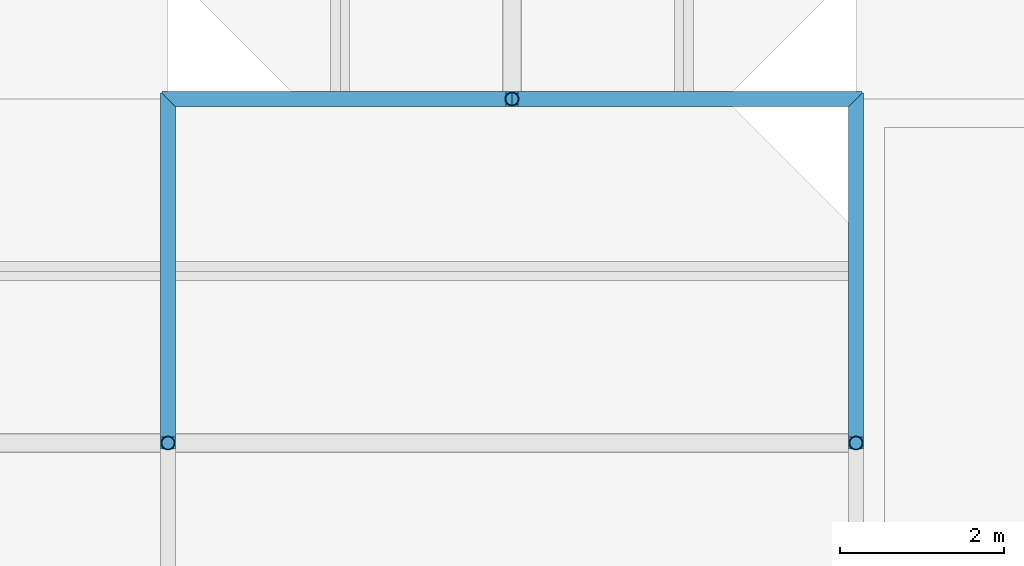
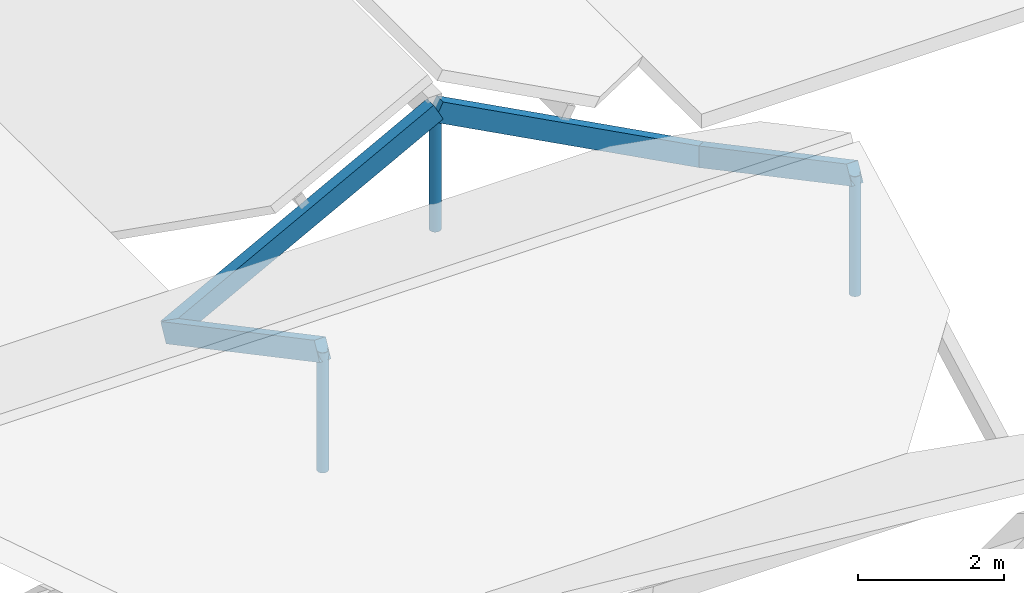
# One storey, part 59 of 82: 7 members.
"""IFC4 building model written with IfcOpenShell, lengths in metres."""

from ifc_helpers import new_model, si_unit, direction, frame, origin, origin_2d, place, context, subcontext, project, spatial, rectangle, hollow_circle, extrude, material, material_profile, profile_set, type_object, element, save


model = new_model("IFC4")

# Units and contexts
model_context = context("Model", 3, precision=1e-05, world=origin(), true_north=direction((0.0, 1.0)))
body_context = subcontext(model_context, "Body", "Model", "MODEL_VIEW")
ifc_project = project(units=[si_unit("LENGTHUNIT", "METRE"), si_unit("AREAUNIT", "SQUARE_METRE"), si_unit("VOLUMEUNIT", "CUBIC_METRE"), si_unit("PLANEANGLEUNIT", "RADIAN"), si_unit("MASSUNIT", "GRAM", prefix="KILO")], contexts=[model_context])

# Site, building, storey
site_placement = place(None, origin())
site = spatial("IfcSite", under=ifc_project, at=site_placement, CompositionType="ELEMENT")
building_placement = place(site_placement, origin())
building = spatial("IfcBuilding", under=site, at=building_placement, Name="Bramfleet General Hospital", CompositionType="ELEMENT")
storey_placement = place(building_placement, frame((0.0, 0.0, 34.199951171875)))
storey = spatial("IfcBuildingStorey", under=building, at=storey_placement, Name="Roof", CompositionType="ELEMENT", Elevation=34.199951171875)

# Members
ifc_material_1 = material(Name="Structural timber GL28h", Category="wood")
ifc_material_profile_1 = material_profile(ifc_material_1, rectangle(XDim=0.179931640625, YDim=0.320068359375, at=origin_2d()), Name="GL28h 320x180")
ifc_profile_set_1 = profile_set([ifc_material_profile_1], Name="Structural timber GL28h")
member_type_1 = type_object("IfcMemberType", Name="MEM-RF-GL320", PredefinedType="RAFTER", material=ifc_profile_set_1)
for number, where, z_axis, x_axis, name in (
    (1, (109.199951171875, 92.39990234375, -0.671875), (0.882947536541, 0.0, 0.469471668705), (0.0, 1.0, 0.0), "Patient House PH-04 West Glulam Rafter 0"),
    (2, (113.39990234375, 92.39990234375, 1.561279296875), (0.882958848035, 0.0, -0.469450394267), (0.0, 1.0, 0.0), "Patient House PH-04 East Glulam Rafter 0"),
    (3, (109.199951171875, 88.199951171875, 1.561279296875), (0.0, 0.882947536541, -0.469471668705), (-1.0, 0.0, 0.0), "Patient House PH-14 North Glulam Rafter 2"),
    (4, (117.60009765625, 88.199951171875, 1.561279296875), (0.0, 0.882947536541, -0.469471668705), (-1.0, 0.0, 0.0), "Patient House PH-14 North Glulam Rafter 3"),
):
    element("IfcMember", number, at=place(storey_placement, frame(where, z_axis=z_axis, x_axis=x_axis)), inside=storey, type_object=member_type_1, Name=name, PredefinedType="RAFTER", context=body_context, shape_type="SweptSolid", body=[
        extrude(rectangle(XDim=0.179931640625, YDim=0.320068359375, at=origin_2d()), origin(), (0.0, 0.0, 1.0), 4.7568359375),
    ])
ifc_material_2 = material(Name="Steel S355", Category="steel")
ifc_material_profile_2 = material_profile(ifc_material_2, hollow_circle(Radius=0.084228515625, WallThickness=0.008056640625, at=origin_2d()), Name="CHS 168.3x8.0")
ifc_profile_set_2 = profile_set([ifc_material_profile_2], Name="Steel S355")
member_type_2 = type_object("IfcMemberType", Name="MEM-SF-DG1", PredefinedType="STRUT", material=ifc_profile_set_2)
for number, where, z_axis, x_axis, name in (
    (5, (113.39990234375, 92.39990234375, -0.43994140625), (0.0, 0.0, 1.0), (1.0, 0.0, 0.0), "Patient House PH-04 Ridge Timber Post 0"),
    (6, (109.199951171875, 88.199951171875, -0.43994140625), (0.0, 0.0, 1.0), (1.0, 0.0, 0.0), "Patient House PH-14 Ridge Timber Post 2"),
    (7, (117.60009765625, 88.199951171875, -0.43994140625), (0.0, 0.0, 1.0), (1.0, 0.0, 0.0), "Patient House PH-14 Ridge Timber Post 3"),
):
    element("IfcMember", number, at=place(storey_placement, frame(where, z_axis=z_axis, x_axis=x_axis)), inside=storey, type_object=member_type_2, Name=name, PredefinedType="STRUT", context=body_context, shape_type="SweptSolid", body=[
        extrude(hollow_circle(Radius=0.084228515625, WallThickness=0.008056640625, at=origin_2d()), origin(), (0.0, 0.0, 1.0), 2.001220703125),
    ])

save(model, "model.ifc")
